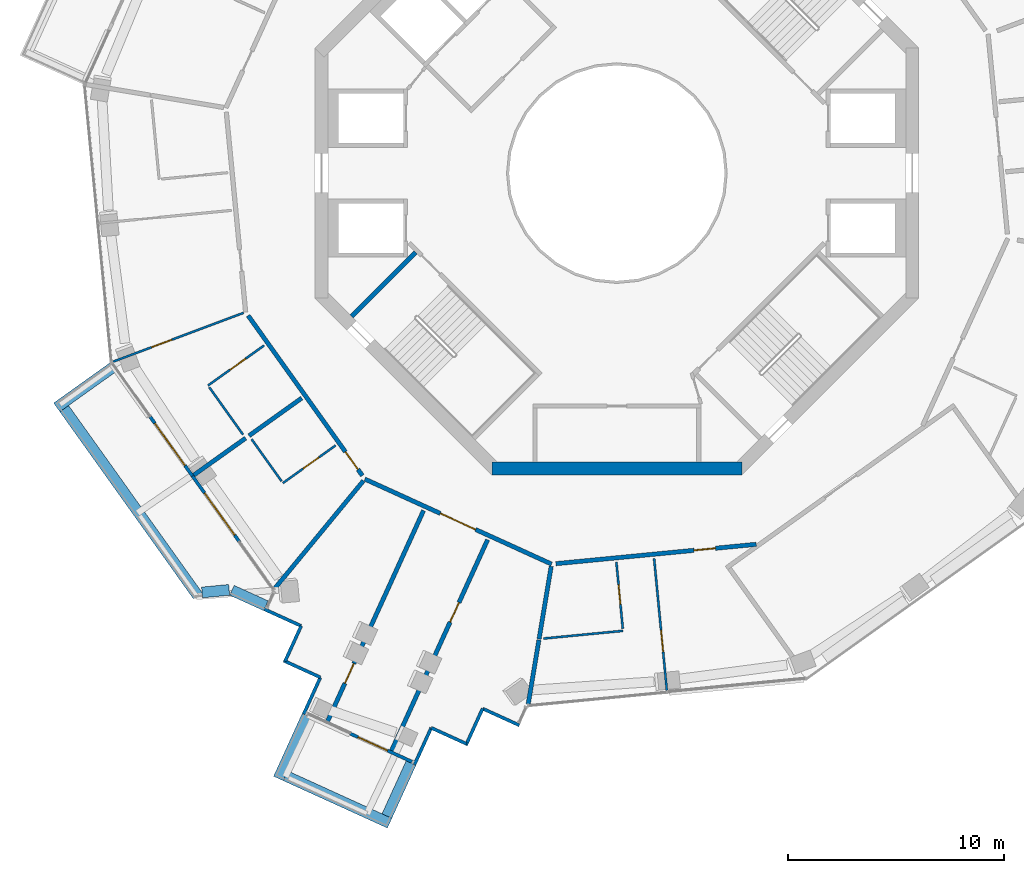
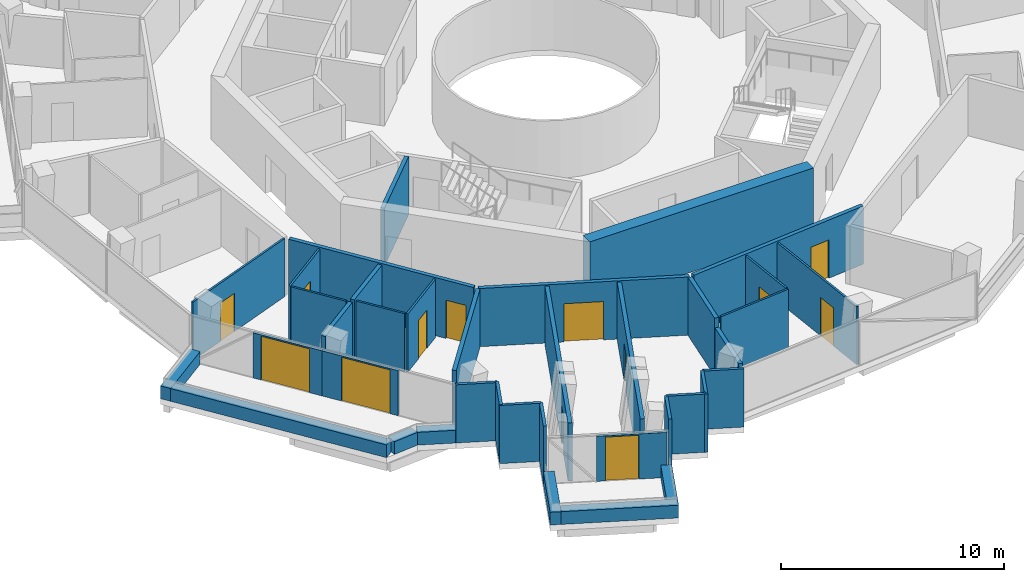
# One storey, part 15 of 22: 38 walls, 13 doors, 13 openings.
"""IFC4 building model written with IfcOpenShell, lengths in metres."""

from ifc_helpers import new_model, si_unit, direction, frame, frame_2d, origin, place, context, subcontext, project, spatial, rectangle, extrude, material, layer, layer_set, type_object, element, fill, save


model = new_model("IFC4")

# Units and contexts
model_context = context("Model", 3, precision=1e-05, world=origin(), true_north=direction((0.0, 1.0)))
body_context = subcontext(model_context, "Body", "Model", "MODEL_VIEW")
ifc_project = project(units=[si_unit("LENGTHUNIT", "METRE"), si_unit("AREAUNIT", "SQUARE_METRE"), si_unit("VOLUMEUNIT", "CUBIC_METRE"), si_unit("PLANEANGLEUNIT", "RADIAN"), si_unit("MASSUNIT", "GRAM", prefix="KILO")], contexts=[model_context])

# Site, building, storey
site_placement = place(None, origin())
site = spatial("IfcSite", under=ifc_project, at=site_placement, CompositionType="ELEMENT")
building_placement = place(site_placement, origin())
building = spatial("IfcBuilding", under=site, at=building_placement, Name="Verdalira Terraces Hotel", CompositionType="ELEMENT")
storey_placement = place(building_placement, frame((0.0, 0.0, 180.0)))
storey = spatial("IfcBuildingStorey", under=building, at=storey_placement, Name="L43", CompositionType="ELEMENT", Elevation=180.0)

# Walls
ifc_material_1 = material(Name="Concrete C40", Category="concrete")
ifc_layer_1 = layer(ifc_material_1, 0.5)
ifc_layer_set_1 = layer_set([ifc_layer_1], Name="Balcony planter trough with tree")
wall_type_1 = type_object("IfcWallType", Name="Balcony planter trough with tree", PredefinedType="SOLIDWALL", material=ifc_layer_set_1)
wall_1_placement = place(storey_placement, frame((-23.376221, -9.007324, 0.0), z_axis=(0.0, 0.0, 1.0), x_axis=(-0.813882991, -0.581028808, 0.0)))
element("IfcWall", 1, at=wall_1_placement, inside=storey, type_object=wall_type_1, Name="Balcony planter", PredefinedType="SOLIDWALL", context=body_context, shape_type="SweptSolid", body=[
    extrude(rectangle(XDim=3.198975, YDim=0.5, at=frame_2d((1.599609, 0.0))), origin(), (0.0, 0.0, 1.0), 0.699951),
])
wall_2_placement = place(storey_placement, frame((-25.631104, -10.924316, 0.0), z_axis=(0.0, 0.0, 1.0), x_axis=(0.580988848, -0.813911517, 0.0)))
element("IfcWall", 2, at=wall_2_placement, inside=storey, type_object=wall_type_1, Name="Balcony planter", PredefinedType="SOLIDWALL", context=body_context, shape_type="SweptSolid", body=[
    extrude(rectangle(XDim=10.652588, YDim=0.5, at=frame_2d((5.326172, 0.0))), origin(), (0.0, 0.0, 1.0), 0.699951),
])
wall_3_placement = place(storey_placement, frame((-19.23877, -19.449219, 0.0), z_axis=(0.0, 0.0, 1.0), x_axis=(0.995350014, 0.096324195, 0.0)))
element("IfcWall", 3, at=wall_3_placement, inside=storey, type_object=wall_type_1, Name="Balcony planter", PredefinedType="SOLIDWALL", context=body_context, shape_type="SweptSolid", body=[
    extrude(rectangle(XDim=1.262207, YDim=0.5, at=frame_2d((0.631104, 0.0))), origin(), (0.0, 0.0, 1.0), 0.699951),
])
wall_4_placement = place(storey_placement, frame((-17.85498, -19.349121, 0.0), z_axis=(0.0, 0.0, 1.0), x_axis=(0.910110312, -0.414366046, 0.0)))
element("IfcWall", 4, at=wall_4_placement, inside=storey, type_object=wall_type_1, Name="Balcony planter", PredefinedType="SOLIDWALL", context=body_context, shape_type="SweptSolid", body=[
    extrude(rectangle(XDim=1.730957, YDim=0.5, at=frame_2d((0.865479, 0.0))), origin(), (0.0, 0.0, 1.0), 0.699951),
])
wall_5_placement = place(storey_placement, frame((-14.370361, -25.166992, 0.0), z_axis=(0.0, 0.0, 1.0), x_axis=(-0.414406602, -0.910091846, 0.0)))
element("IfcWall", 5, at=wall_5_placement, inside=storey, type_object=wall_type_1, Name="Balcony planter", PredefinedType="SOLIDWALL", context=body_context, shape_type="SweptSolid", body=[
    extrude(rectangle(XDim=3.198975, YDim=0.5, at=frame_2d((1.599609, 0.0))), origin(), (0.0, 0.0, 1.0), 0.699951),
])
wall_6_placement = place(storey_placement, frame((-15.364746, -27.954346, 0.0), z_axis=(0.0, 0.0, 1.0), x_axis=(0.910096523, -0.414396331, 0.0)))
element("IfcWall", 6, at=wall_6_placement, inside=storey, type_object=wall_type_1, Name="Balcony planter", PredefinedType="SOLIDWALL", context=body_context, shape_type="SweptSolid", body=[
    extrude(rectangle(XDim=5.300049, YDim=0.5, at=frame_2d((2.649902, 0.0))), origin(), (0.0, 0.0, 1.0), 0.699951),
])
wall_7_placement = place(storey_placement, frame((-10.665283, -29.81958, 0.0), z_axis=(0.0, 0.0, 1.0), x_axis=(0.414354866, 0.910115402, 0.0)))
element("IfcWall", 7, at=wall_7_placement, inside=storey, type_object=wall_type_1, Name="Balcony planter", PredefinedType="SOLIDWALL", context=body_context, shape_type="SweptSolid", body=[
    extrude(rectangle(XDim=2.699219, YDim=0.5, at=frame_2d((1.349609, 0.0))), origin(), (0.0, 0.0, 1.0), 0.699951),
])

# Wall, opening, door
ifc_material_2 = material(Name="Moisture-resistant gypsum board partition")
ifc_layer_2 = layer(ifc_material_2, 0.10009765625)
ifc_layer_set_2 = layer_set([ifc_layer_2], Name="Bathroom partition 100 mm")
wall_type_2 = type_object("IfcWallType", Name="Bathroom partition 100 mm", PredefinedType="PARTITIONING", material=ifc_layer_set_2)
wall_8_placement = place(storey_placement, frame((-17.315186, -6.480713, 0.0), z_axis=(0.0, 0.0, 1.0), x_axis=(-0.936548998, -0.350536695, 0.0)))
wall_8 = element("IfcWall", 8, at=wall_8_placement, inside=storey, type_object=wall_type_2, Name="Bathroom partition", PredefinedType="PARTITIONING", context=body_context, shape_type="SweptSolid", body=[
    extrude(rectangle(XDim=6.47583, YDim=0.100098, at=frame_2d((3.237793, 0.0))), origin(), (0.0, 0.0, 1.0), 3.189941),
])
opening_1_placement = place(wall_8_placement, frame((3.550049, 0.0, 0.0)))
opening_1 = element("IfcOpeningElement", 9, at=opening_1_placement, cuts=wall_8, Name="Opening L43-109", PredefinedType="OPENING", context=body_context, shape_type="SweptSolid", body=[
    extrude(rectangle(XDim=1.0, YDim=2.100098, at=frame_2d((0.5, 1.050049))), frame((0.0, 0.060059, 0.0), z_axis=(0.0, -1.0, 0.0), x_axis=(1.0, 0.0, 0.0)), (0.0, 0.0, 1.0), 0.120117),
])
ifc_material_3 = material(Name="Timber door", Category="wood")
door_type_1 = type_object("IfcDoorType", Name="Suite internal door 1000 x 2100", OperationType="NOTDEFINED", PredefinedType="DOOR", material=ifc_material_3)
door_1_placement = place(opening_1_placement, origin())
door_1 = element("IfcDoor", 10, at=door_1_placement, inside=storey, type_object=door_type_1, Name="Suite internal door 4303", OperationType="SINGLE_SWING_LEFT", OverallHeight=2.10009765625, OverallWidth=1.0, PredefinedType="DOOR", context=body_context, shape_type="SweptSolid", body=[
    extrude(rectangle(XDim=1.0, YDim=2.100098, at=frame_2d((0.5, 1.050049))), frame((0.0, 0.024902, 0.0), z_axis=(0.0, -1.0, 0.0), x_axis=(1.0, 0.0, 0.0)), (0.0, 0.0, 1.0), 0.050049),
])
fill(opening_1, door_1)

# Wall
wall_9_placement = place(storey_placement, frame((-18.906006, -9.932373, 0.0), z_axis=(0.0, 0.0, 1.0), x_axis=(0.581041451, -0.813873966, 0.0)))
element("IfcWall", 11, at=wall_9_placement, inside=storey, type_object=wall_type_2, Name="Bathroom partition", PredefinedType="PARTITIONING", context=body_context, shape_type="SweptSolid", body=[
    extrude(rectangle(XDim=2.699951, YDim=0.100098, at=frame_2d((1.350098, 0.0))), origin(), (0.0, 0.0, 1.0), 3.189941),
])

# Wall, opening, door
wall_10_placement = place(storey_placement, frame((-16.359619, -7.991699, 0.0), z_axis=(0.0, 0.0, 1.0), x_axis=(-0.813877781, -0.581036106, 0.0)))
wall_10 = element("IfcWall", 12, at=wall_10_placement, inside=storey, type_object=wall_type_2, Name="Bathroom partition", PredefinedType="PARTITIONING", context=body_context, shape_type="SweptSolid", body=[
    extrude(rectangle(XDim=3.200195, YDim=0.100098, at=frame_2d((1.600098, 0.0))), origin(), (0.0, 0.0, 1.0), 3.189941),
])
opening_2_placement = place(wall_10_placement, frame((1.050049, 0.0, 0.0)))
opening_2 = element("IfcOpeningElement", 13, at=opening_2_placement, cuts=wall_10, Name="Opening L43-111", PredefinedType="OPENING", context=body_context, shape_type="SweptSolid", body=[
    extrude(rectangle(XDim=0.899902, YDim=2.100098, at=frame_2d((0.449951, 1.050049))), frame((0.0, 0.060059, 0.0), z_axis=(0.0, -1.0, 0.0), x_axis=(1.0, 0.0, 0.0)), (0.0, 0.0, 1.0), 0.120117),
])
ifc_material_4 = material(Name="Timber door", Category="wood")
door_type_2 = type_object("IfcDoorType", Name="Bathroom door 900 x 2100", OperationType="NOTDEFINED", PredefinedType="DOOR", material=ifc_material_4)
door_2_placement = place(opening_2_placement, origin())
door_2 = element("IfcDoor", 14, at=door_2_placement, inside=storey, type_object=door_type_2, Name="Bathroom door 4303", OperationType="SINGLE_SWING_RIGHT", OverallHeight=2.10009765625, OverallWidth=0.89990234375, PredefinedType="DOOR", context=body_context, shape_type="SweptSolid", body=[
    extrude(rectangle(XDim=0.899902, YDim=2.100098, at=frame_2d((0.449951, 1.050049))), frame((0.0, 0.024902, 0.0), z_axis=(0.0, -1.0, 0.0), x_axis=(1.0, 0.0, 0.0)), (0.0, 0.0, 1.0), 0.050049),
])
fill(opening_2, door_2)

# Wall
wall_11_placement = place(storey_placement, frame((-15.547607, -14.292725, 0.0), z_axis=(0.0, 0.0, 1.0), x_axis=(-0.581036106, 0.813877781, 0.0)))
element("IfcWall", 15, at=wall_11_placement, inside=storey, type_object=wall_type_2, Name="Bathroom partition", PredefinedType="PARTITIONING", context=body_context, shape_type="SweptSolid", body=[
    extrude(rectangle(XDim=2.400146, YDim=0.100098, at=frame_2d((1.200195, 0.0))), origin(), (0.0, 0.0, 1.0), 3.189941),
])

# Wall, opening, door
wall_12_placement = place(storey_placement, frame((-15.489502, -14.374023, 0.0), z_axis=(0.0, 0.0, 1.0), x_axis=(0.813909397, 0.580991819, 0.0)))
wall_12 = element("IfcWall", 16, at=wall_12_placement, inside=storey, type_object=wall_type_2, Name="Bathroom partition", PredefinedType="PARTITIONING", context=body_context, shape_type="SweptSolid", body=[
    extrude(rectangle(XDim=3.0, YDim=0.100098, at=frame_2d((1.5, 0.0))), origin(), (0.0, 0.0, 1.0), 3.189941),
])
opening_3_placement = place(wall_12_placement, frame((1.149902, 0.0, 0.0)))
opening_3 = element("IfcOpeningElement", 17, at=opening_3_placement, cuts=wall_12, Name="Opening L43-113", PredefinedType="OPENING", context=body_context, shape_type="SweptSolid", body=[
    extrude(rectangle(XDim=0.899902, YDim=2.100098, at=frame_2d((0.449951, 1.050049))), frame((0.0, 0.060059, 0.0), z_axis=(0.0, -1.0, 0.0), x_axis=(1.0, 0.0, 0.0)), (0.0, 0.0, 1.0), 0.120117),
])
door_3_placement = place(opening_3_placement, origin())
door_3 = element("IfcDoor", 18, at=door_3_placement, inside=storey, type_object=door_type_2, Name="Bathroom door 4304", OperationType="SINGLE_SWING_LEFT", OverallHeight=2.10009765625, OverallWidth=0.89990234375, PredefinedType="DOOR", context=body_context, shape_type="SweptSolid", body=[
    extrude(rectangle(XDim=0.899902, YDim=2.100098, at=frame_2d((0.449951, 1.050049))), frame((0.0, 0.024902, 0.0), z_axis=(0.0, -1.0, 0.0), x_axis=(1.0, 0.0, 0.0)), (0.0, 0.0, 1.0), 0.050049),
])
fill(opening_3, door_3)

# Wall
wall_13_placement = place(storey_placement, frame((-3.401611, -21.585693, 0.0), z_axis=(0.0, 0.0, 1.0), x_axis=(0.995365087, 0.096168311, 0.0)))
element("IfcWall", 19, at=wall_13_placement, inside=storey, type_object=wall_type_2, Name="Bathroom partition", PredefinedType="PARTITIONING", context=body_context, shape_type="SweptSolid", body=[
    extrude(rectangle(XDim=3.703857, YDim=0.100098, at=frame_2d((1.852051, 0.0))), origin(), (0.0, 0.0, 1.0), 3.189941),
])

# Wall, opening, door
wall_14_placement = place(storey_placement, frame((0.275391, -21.129883, 0.0), z_axis=(0.0, 0.0, 1.0), x_axis=(-0.09615808, 0.995366075, 0.0)))
wall_14 = element("IfcWall", 20, at=wall_14_placement, inside=storey, type_object=wall_type_2, Name="Bathroom partition", PredefinedType="PARTITIONING", context=body_context, shape_type="SweptSolid", body=[
    extrude(rectangle(XDim=3.100098, YDim=0.100098, at=frame_2d((1.550049, 0.0))), origin(), (0.0, 0.0, 1.0), 3.189941),
])
opening_4_placement = place(wall_14_placement, frame((1.149902, 0.0, 0.0)))
opening_4 = element("IfcOpeningElement", 21, at=opening_4_placement, cuts=wall_14, Name="Opening L43-119", PredefinedType="OPENING", context=body_context, shape_type="SweptSolid", body=[
    extrude(rectangle(XDim=0.899902, YDim=2.100098, at=frame_2d((0.449951, 1.050049))), frame((0.0, 0.060059, 0.0), z_axis=(0.0, -1.0, 0.0), x_axis=(1.0, 0.0, 0.0)), (0.0, 0.0, 1.0), 0.120117),
])
door_4_placement = place(opening_4_placement, origin())
door_4 = element("IfcDoor", 22, at=door_4_placement, inside=storey, type_object=door_type_2, Name="Bathroom door 4306", OperationType="SINGLE_SWING_LEFT", OverallHeight=2.10009765625, OverallWidth=0.89990234375, PredefinedType="DOOR", context=body_context, shape_type="SweptSolid", body=[
    extrude(rectangle(XDim=0.899902, YDim=2.100098, at=frame_2d((0.449951, 1.050049))), frame((0.0, 0.024902, 0.0), z_axis=(0.0, -1.0, 0.0), x_axis=(1.0, 0.0, 0.0)), (0.0, 0.0, 1.0), 0.050049),
])
fill(opening_4, door_4)

wall_15_placement = place(storey_placement, frame((2.319092, -23.996582, 0.0), z_axis=(0.0, 0.0, 1.0), x_axis=(-0.096185909, 0.995363386, 0.0)))
wall_15 = element("IfcWall", 23, at=wall_15_placement, inside=storey, type_object=wall_type_2, Name="Bathroom partition", PredefinedType="PARTITIONING", context=body_context, shape_type="SweptSolid", body=[
    extrude(rectangle(XDim=6.150146, YDim=0.100098, at=frame_2d((3.075195, 0.0))), origin(), (0.0, 0.0, 1.0), 3.189941),
])
opening_5_placement = place(wall_15_placement, frame((1.800049, 0.0, 0.0)))
opening_5 = element("IfcOpeningElement", 24, at=opening_5_placement, cuts=wall_15, Name="Opening L43-118", PredefinedType="OPENING", context=body_context, shape_type="SweptSolid", body=[
    extrude(rectangle(XDim=1.0, YDim=2.100098, at=frame_2d((0.5, 1.050049))), frame((0.0, 0.060059, 0.0), z_axis=(0.0, -1.0, 0.0), x_axis=(1.0, 0.0, 0.0)), (0.0, 0.0, 1.0), 0.120117),
])
door_5_placement = place(opening_5_placement, origin())
door_5 = element("IfcDoor", 25, at=door_5_placement, inside=storey, type_object=door_type_1, Name="Suite internal door 4306", OperationType="SINGLE_SWING_LEFT", OverallHeight=2.10009765625, OverallWidth=1.0, PredefinedType="DOOR", context=body_context, shape_type="SweptSolid", body=[
    extrude(rectangle(XDim=1.0, YDim=2.100098, at=frame_2d((0.5, 1.050049))), frame((0.0, 0.024902, 0.0), z_axis=(0.0, -1.0, 0.0), x_axis=(1.0, 0.0, 0.0)), (0.0, 0.0, 1.0), 0.050049),
])
fill(opening_5, door_5)

# Walls
ifc_material_5 = material(Name="Concrete C50", Category="concrete")
ifc_layer_3 = layer(ifc_material_5, 0.199951171875)
ifc_layer_set_3 = layer_set([ifc_layer_3], Name="Core RC wall 200 C50")
wall_type_3 = type_object("IfcWallType", Name="Core RC wall 200 C50", PredefinedType="SOLIDWALL", material=ifc_layer_set_3)
wall_16_placement = place(storey_placement, frame((-9.33374, -3.677002, 0.0), z_axis=(0.0, 0.0, 1.0), x_axis=(-0.707135845, -0.707077716, 0.0)))
element("IfcWall", 26, at=wall_16_placement, inside=storey, type_object=wall_type_3, Name="L43 stair ST2 end wall 1", PredefinedType="SOLIDWALL", context=body_context, shape_type="SweptSolid", body=[
    extrude(rectangle(XDim=4.199951, YDim=0.199951, at=frame_2d((2.100098, 0.0))), origin(), (0.0, 0.0, 1.0), 3.189941),
])
ifc_material_6 = material(Name="Concrete C60", Category="concrete")
ifc_layer_4 = layer(ifc_material_6, 0.60009765625)
ifc_layer_set_4 = layer_set([ifc_layer_4], Name="Core wall 600 C60")
wall_type_4 = type_object("IfcWallType", Name="Core wall 600 C60", PredefinedType="SHEAR", material=ifc_layer_set_4)
wall_17_placement = place(storey_placement, frame((-5.799072, -13.699951, 0.0), z_axis=(0.0, 0.0, 1.0), x_axis=(1.0, 0.0, 0.0)))
element("IfcWall", 27, at=wall_17_placement, inside=storey, type_object=wall_type_4, Name="Core wall CW-L43-7", PredefinedType="SHEAR", context=body_context, shape_type="SweptSolid", body=[
    extrude(rectangle(XDim=11.598145, YDim=0.600098, at=frame_2d((5.799072, 0.0))), origin(), (0.0, 0.0, 1.0), 3.5),
])
ifc_material_7 = material(Name="Fire-rated gypsum board wall")
ifc_layer_5 = layer(ifc_material_7, 0.199951171875)
ifc_layer_set_5 = layer_set([ifc_layer_5], Name="Demising wall 200 mm")
wall_type_5 = type_object("IfcWallType", Name="Demising wall 200 mm", PredefinedType="SOLIDWALL", material=ifc_layer_set_5)
wall_18_placement = place(storey_placement, frame((-17.220947, -12.292725, 0.0), z_axis=(0.0, 0.0, 1.0), x_axis=(-0.813929138, -0.580964163, 0.0)))
element("IfcWall", 28, at=wall_18_placement, inside=storey, type_object=wall_type_5, Name="Demising wall", PredefinedType="SOLIDWALL", context=body_context, shape_type="SweptSolid", body=[
    extrude(rectangle(XDim=2.949951, YDim=0.199951, at=frame_2d((1.475098, 0.0))), origin(), (0.0, 0.0, 1.0), 3.189941),
])
wall_19_placement = place(storey_placement, frame((-14.616455, -10.433594, 0.0), z_axis=(0.0, 0.0, 1.0), x_axis=(-0.813909274, -0.580991992, 0.0)))
element("IfcWall", 29, at=wall_19_placement, inside=storey, type_object=wall_type_5, Name="Demising wall", PredefinedType="SOLIDWALL", context=body_context, shape_type="SweptSolid", body=[
    extrude(rectangle(XDim=3.001953, YDim=0.199951, at=frame_2d((1.500977, 0.0))), origin(), (0.0, 0.0, 1.0), 3.189941),
])
wall_20_placement = place(storey_placement, frame((-15.872314, -19.268311, 0.0), z_axis=(0.0, 0.0, 1.0), x_axis=(0.635816927, 0.771839902, 0.0)))
element("IfcWall", 30, at=wall_20_placement, inside=storey, type_object=wall_type_5, Name="Demising wall", PredefinedType="SOLIDWALL", context=body_context, shape_type="SweptSolid", body=[
    extrude(rectangle(XDim=6.47583, YDim=0.199951, at=frame_2d((3.237793, 0.0))), origin(), (0.0, 0.0, 1.0), 3.189941),
])

# Wall, opening, door
wall_21_placement = place(storey_placement, frame((-13.421143, -25.43335, 0.0), z_axis=(0.0, 0.0, 1.0), x_axis=(0.414377782, 0.910104968, 0.0)))
wall_21 = element("IfcWall", 31, at=wall_21_placement, inside=storey, type_object=wall_type_5, Name="Demising wall", PredefinedType="SOLIDWALL", context=body_context, shape_type="SweptSolid", body=[
    extrude(rectangle(XDim=10.75, YDim=0.199951, at=frame_2d((5.375, 0.0))), origin(), (0.0, 0.0, 1.0), 3.189941),
])
opening_6_placement = place(wall_21_placement, frame((1.949951, 0.0, 0.0)))
opening_6 = element("IfcOpeningElement", 32, at=opening_6_placement, cuts=wall_21, Name="Opening L43-115", PredefinedType="OPENING", context=body_context, shape_type="SweptSolid", body=[
    extrude(rectangle(XDim=1.0, YDim=2.100098, at=frame_2d((0.5, 1.050049))), frame((0.0, 0.109863, 0.0), z_axis=(0.0, -1.0, 0.0), x_axis=(1.0, 0.0, 0.0)), (0.0, 0.0, 1.0), 0.219971),
])
ifc_material_8 = material(Name="Timber fire door", Category="wood")
door_type_3 = type_object("IfcDoorType", Name="Public room door 1000 x 2100", OperationType="NOTDEFINED", PredefinedType="DOOR", material=ifc_material_8)
door_6_placement = place(opening_6_placement, origin())
door_6 = element("IfcDoor", 33, at=door_6_placement, inside=storey, type_object=door_type_3, Name="Public room door 4305", OperationType="SINGLE_SWING_LEFT", OverallHeight=2.10009765625, OverallWidth=1.0, PredefinedType="DOOR", context=body_context, shape_type="SweptSolid", body=[
    extrude(rectangle(XDim=1.0, YDim=2.100098, at=frame_2d((0.5, 1.050049))), frame((0.0, 0.024902, 0.0), z_axis=(0.0, -1.0, 0.0), x_axis=(1.0, 0.0, 0.0)), (0.0, 0.0, 1.0), 0.050049),
])
fill(opening_6, door_6)

wall_22_placement = place(storey_placement, frame((-5.995361, -17.002441, 0.0), z_axis=(0.0, 0.0, 1.0), x_axis=(-0.414386347, -0.910101069, 0.0)))
wall_22 = element("IfcWall", 34, at=wall_22_placement, inside=storey, type_object=wall_type_5, Name="Demising wall", PredefinedType="SOLIDWALL", context=body_context, shape_type="SweptSolid", body=[
    extrude(rectangle(XDim=10.749756, YDim=0.199951, at=frame_2d((5.375, 0.0))), origin(), (0.0, 0.0, 1.0), 3.189941),
])
opening_7_placement = place(wall_22_placement, frame((3.199951, 0.0, 0.0)))
opening_7 = element("IfcOpeningElement", 35, at=opening_7_placement, cuts=wall_22, Name="Opening L43-116", PredefinedType="OPENING", context=body_context, shape_type="SweptSolid", body=[
    extrude(rectangle(XDim=1.0, YDim=2.100098, at=frame_2d((0.5, 1.050049))), frame((0.0, 0.109863, 0.0), z_axis=(0.0, -1.0, 0.0), x_axis=(1.0, 0.0, 0.0)), (0.0, 0.0, 1.0), 0.219971),
])
door_7_placement = place(opening_7_placement, origin())
door_7 = element("IfcDoor", 36, at=door_7_placement, inside=storey, type_object=door_type_3, Name="Public room door 4305", OperationType="SINGLE_SWING_LEFT", OverallHeight=2.10009765625, OverallWidth=1.0, PredefinedType="DOOR", context=body_context, shape_type="SweptSolid", body=[
    extrude(rectangle(XDim=1.0, YDim=2.100098, at=frame_2d((0.5, 1.050049))), frame((0.0, 0.024902, 0.0), z_axis=(0.0, -1.0, 0.0), x_axis=(1.0, 0.0, 0.0)), (0.0, 0.0, 1.0), 0.050049),
])
fill(opening_7, door_7)

# Walls
wall_23_placement = place(storey_placement, frame((-3.045166, -18.23584, 0.0), z_axis=(0.0, 0.0, 1.0), x_axis=(-0.164700112, -0.986343689, 0.0)))
element("IfcWall", 37, at=wall_23_placement, inside=storey, type_object=wall_type_5, Name="Demising wall", PredefinedType="SOLIDWALL", context=body_context, shape_type="SweptSolid", body=[
    extrude(rectangle(XDim=3.418213, YDim=0.199951, at=frame_2d((1.708984, 0.0))), origin(), (0.0, 0.0, 1.0), 3.189941),
])
ifc_material_9 = material(Name="Fire-rated gypsum board wall")
ifc_layer_6 = layer(ifc_material_9, 0.199951171875)
ifc_layer_set_6 = layer_set([ifc_layer_6], Name="Demising wall 200 mm to beam soffit")
wall_type_6 = type_object("IfcWallType", Name="Demising wall 200 mm to beam soffit", PredefinedType="SOLIDWALL", material=ifc_layer_set_6)
wall_24_placement = place(storey_placement, frame((-3.615723, -21.652832, 0.0), z_axis=(0.0, 0.0, 1.0), x_axis=(-0.1647408, -0.986336894, 0.0)))
element("IfcWall", 38, at=wall_24_placement, inside=storey, type_object=wall_type_6, Name="Demising wall", PredefinedType="SOLIDWALL", context=body_context, shape_type="SweptSolid", body=[
    extrude(rectangle(XDim=3.011475, YDim=0.199951, at=frame_2d((1.505859, 0.0))), origin(), (0.0, 0.0, 1.0), 2.689941),
])

# Wall, opening, door
ifc_material_10 = material(Name="Fire-rated gypsum board wall")
ifc_layer_7 = layer(ifc_material_10, 0.199951171875)
ifc_layer_set_7 = layer_set([ifc_layer_7], Name="Guest corridor wall 200 mm")
wall_type_7 = type_object("IfcWallType", Name="Guest corridor wall 200 mm", PredefinedType="SOLIDWALL", material=ifc_layer_set_7)
wall_25_placement = place(storey_placement, frame((-11.80542, -14.027344, 0.0), z_axis=(0.0, 0.0, 1.0), x_axis=(-0.580997508, 0.813905336, 0.0)))
wall_25 = element("IfcWall", 39, at=wall_25_placement, inside=storey, type_object=wall_type_7, Name="Guest corridor wall", PredefinedType="SOLIDWALL", context=body_context, shape_type="SweptSolid", body=[
    extrude(rectangle(XDim=9.116455, YDim=0.199951, at=frame_2d((4.558105, 0.0))), origin(), (0.0, 0.0, 1.0), 3.189941),
])
opening_8_placement = place(wall_25_placement, frame((0.350098, 0.0, 0.0)))
opening_8 = element("IfcOpeningElement", 40, at=opening_8_placement, cuts=wall_25, Name="Opening L43-112", PredefinedType="OPENING", context=body_context, shape_type="SweptSolid", body=[
    extrude(rectangle(XDim=1.0, YDim=2.100098, at=frame_2d((0.5, 1.050049))), frame((0.0, 0.109863, 0.0), z_axis=(0.0, -1.0, 0.0), x_axis=(1.0, 0.0, 0.0)), (0.0, 0.0, 1.0), 0.219971),
])
ifc_material_11 = material(Name="Timber fire door", Category="wood")
door_type_4 = type_object("IfcDoorType", Name="Guest entry door 1000 x 2100", OperationType="NOTDEFINED", PredefinedType="DOOR", material=ifc_material_11)
door_8_placement = place(opening_8_placement, origin())
door_8 = element("IfcDoor", 41, at=door_8_placement, inside=storey, type_object=door_type_4, Name="Guest entry door 4304", OperationType="SINGLE_SWING_LEFT", OverallHeight=2.10009765625, OverallWidth=1.0, PredefinedType="DOOR", context=body_context, shape_type="SweptSolid", body=[
    extrude(rectangle(XDim=1.0, YDim=2.100098, at=frame_2d((0.5, 1.050049))), frame((0.0, 0.024902, 0.0), z_axis=(0.0, -1.0, 0.0), x_axis=(1.0, 0.0, 0.0)), (0.0, 0.0, 1.0), 0.050049),
])
fill(opening_8, door_8)

wall_26_placement = place(storey_placement, frame((-3.028076, -18.133789, 0.0), z_axis=(0.0, 0.0, 1.0), x_axis=(-0.910100085, 0.414388507, 0.0)))
wall_26 = element("IfcWall", 42, at=wall_26_placement, inside=storey, type_object=wall_type_7, Name="Guest corridor wall", PredefinedType="SOLIDWALL", context=body_context, shape_type="SweptSolid", body=[
    extrude(rectangle(XDim=9.516602, YDim=0.199951, at=frame_2d((4.758301, 0.0))), origin(), (0.0, 0.0, 1.0), 3.189941),
])
opening_9_placement = place(wall_26_placement, frame((3.869385, 0.0, 0.0)))
opening_9 = element("IfcOpeningElement", 43, at=opening_9_placement, cuts=wall_26, Name="Opening L43-114", PredefinedType="OPENING", context=body_context, shape_type="SweptSolid", body=[
    extrude(rectangle(XDim=1.800049, YDim=2.100098, at=frame_2d((0.899902, 1.050049))), frame((0.0, 0.109863, 0.0), z_axis=(0.0, -1.0, 0.0), x_axis=(1.0, 0.0, 0.0)), (0.0, 0.0, 1.0), 0.219971),
])
ifc_material_12 = material(Name="Timber fire door", Category="wood")
door_type_5 = type_object("IfcDoorType", Name="Public room double door 1800 x 2100", OperationType="NOTDEFINED", PredefinedType="DOOR", material=ifc_material_12)
door_9_placement = place(opening_9_placement, origin())
door_9 = element("IfcDoor", 44, at=door_9_placement, inside=storey, type_object=door_type_5, Name="Public room double door 4305", OperationType="DOUBLE_DOOR_SINGLE_SWING", OverallHeight=2.10009765625, OverallWidth=1.800048828125, PredefinedType="DOOR", context=body_context, shape_type="SweptSolid", body=[
    extrude(rectangle(XDim=1.800049, YDim=2.100098, at=frame_2d((0.899902, 1.050049))), frame((0.0, 0.024902, 0.0), z_axis=(0.0, -1.0, 0.0), x_axis=(1.0, 0.0, 0.0)), (0.0, 0.0, 1.0), 0.050049),
])
fill(opening_9, door_9)

wall_27_placement = place(storey_placement, frame((6.464355, -17.216309, 0.0), z_axis=(0.0, 0.0, 1.0), x_axis=(-0.995362056, -0.09619968, 0.0)))
wall_27 = element("IfcWall", 45, at=wall_27_placement, inside=storey, type_object=wall_type_7, Name="Guest corridor wall", PredefinedType="SOLIDWALL", context=body_context, shape_type="SweptSolid", body=[
    extrude(rectangle(XDim=9.33667, YDim=0.199951, at=frame_2d((4.668457, 0.0))), origin(), (0.0, 0.0, 1.0), 3.189941),
])
opening_10_placement = place(wall_27_placement, frame((1.899902, 0.0, 0.0)))
opening_10 = element("IfcOpeningElement", 46, at=opening_10_placement, cuts=wall_27, Name="Opening L43-117", PredefinedType="OPENING", context=body_context, shape_type="SweptSolid", body=[
    extrude(rectangle(XDim=1.0, YDim=2.100098, at=frame_2d((0.5, 1.050049))), frame((0.0, 0.109863, 0.0), z_axis=(0.0, -1.0, 0.0), x_axis=(1.0, 0.0, 0.0)), (0.0, 0.0, 1.0), 0.219971),
])
door_10_placement = place(opening_10_placement, origin())
door_10 = element("IfcDoor", 47, at=door_10_placement, inside=storey, type_object=door_type_4, Name="Guest entry door 4306", OperationType="SINGLE_SWING_LEFT", OverallHeight=2.10009765625, OverallWidth=1.0, PredefinedType="DOOR", context=body_context, shape_type="SweptSolid", body=[
    extrude(rectangle(XDim=1.0, YDim=2.100098, at=frame_2d((0.5, 1.050049))), frame((0.0, 0.024902, 0.0), z_axis=(0.0, -1.0, 0.0), x_axis=(1.0, 0.0, 0.0)), (0.0, 0.0, 1.0), 0.050049),
])
fill(opening_10, door_10)

# Walls
ifc_material_13 = material(Name="Terracotta cladding", Category="masonry")
ifc_layer_8 = layer(ifc_material_13, 0.14990234375)
ifc_layer_set_8 = layer_set([ifc_layer_8], Name="Terracotta clad wall 150")
wall_type_8 = type_object("IfcWallType", Name="Terracotta clad wall 150", PredefinedType="SOLIDWALL", material=ifc_layer_set_8)
wall_28_placement = place(storey_placement, frame((-16.351074, -20.226074, 0.0), z_axis=(0.0, 0.0, 1.0), x_axis=(0.910134462, -0.414312998, 0.0)))
element("IfcWall", 48, at=wall_28_placement, inside=storey, type_object=wall_type_8, Name="Terracotta cladding wall", PredefinedType="SOLIDWALL", context=body_context, shape_type="SweptSolid", body=[
    extrude(rectangle(XDim=1.875, YDim=0.149902, at=frame_2d((0.9375, 0.0))), origin(), (0.0, 0.0, 1.0), 3.189941),
])
wall_29_placement = place(storey_placement, frame((-14.644531, -21.00293, 0.0), z_axis=(0.0, 0.0, 1.0), x_axis=(-0.414364915, -0.910110827, 0.0)))
element("IfcWall", 49, at=wall_29_placement, inside=storey, type_object=wall_type_8, Name="Terracotta cladding wall", PredefinedType="SOLIDWALL", context=body_context, shape_type="SweptSolid", body=[
    extrude(rectangle(XDim=1.800049, YDim=0.149902, at=frame_2d((0.899902, 0.0))), origin(), (0.0, 0.0, 1.0), 3.189941),
])
wall_30_placement = place(storey_placement, frame((-15.45874, -22.610107, 0.0), z_axis=(0.0, 0.0, 1.0), x_axis=(0.910134462, -0.414312998, 0.0)))
element("IfcWall", 50, at=wall_30_placement, inside=storey, type_object=wall_type_8, Name="Terracotta cladding wall", PredefinedType="SOLIDWALL", context=body_context, shape_type="SweptSolid", body=[
    extrude(rectangle(XDim=1.875, YDim=0.149902, at=frame_2d((0.9375, 0.0))), origin(), (0.0, 0.0, 1.0), 3.189941),
])
for number, where, z_axis, x_axis, name in (
    (51, (-13.752197, -23.386963, 0.0), (0.0, 0.0, 1.0), (-0.414420844, -0.910085361, 0.0), "Terracotta cladding wall"),
    (52, (-9.387207, -27.434814, 0.0), (0.0, 0.0, 1.0), (0.414420844, 0.910085361, 0.0), "Terracotta cladding wall"),
):
    element("IfcWall", number, at=place(storey_placement, frame(where, z_axis=z_axis, x_axis=x_axis)), inside=storey, type_object=wall_type_8, Name=name, PredefinedType="SOLIDWALL", context=body_context, shape_type="SweptSolid", body=[
        extrude(rectangle(XDim=1.875244, YDim=0.149902, at=frame_2d((0.9375, 0.0))), origin(), (0.0, 0.0, 1.0), 3.189941),
    ])
wall_31_placement = place(storey_placement, frame((-8.610107, -25.728271, 0.0), z_axis=(0.0, 0.0, 1.0), x_axis=(0.910110827, -0.414364915, 0.0)))
element("IfcWall", 53, at=wall_31_placement, inside=storey, type_object=wall_type_8, Name="Terracotta cladding wall", PredefinedType="SOLIDWALL", context=body_context, shape_type="SweptSolid", body=[
    extrude(rectangle(XDim=1.800049, YDim=0.149902, at=frame_2d((0.899902, 0.0))), origin(), (0.0, 0.0, 1.0), 3.189941),
])
wall_32_placement = place(storey_placement, frame((-7.003174, -26.54248, 0.0), z_axis=(0.0, 0.0, 1.0), x_axis=(0.414420844, 0.910085361, 0.0)))
element("IfcWall", 54, at=wall_32_placement, inside=storey, type_object=wall_type_8, Name="Terracotta cladding wall", PredefinedType="SOLIDWALL", context=body_context, shape_type="SweptSolid", body=[
    extrude(rectangle(XDim=1.875244, YDim=0.149902, at=frame_2d((0.9375, 0.0))), origin(), (0.0, 0.0, 1.0), 3.189941),
])
wall_33_placement = place(storey_placement, frame((-6.226074, -24.835938, 0.0), z_axis=(0.0, 0.0, 1.0), x_axis=(0.910062996, -0.414469955, 0.0)))
element("IfcWall", 55, at=wall_33_placement, inside=storey, type_object=wall_type_8, Name="Terracotta cladding wall", PredefinedType="SOLIDWALL", context=body_context, shape_type="SweptSolid", body=[
    extrude(rectangle(XDim=1.875, YDim=0.149902, at=frame_2d((0.9375, 0.0))), origin(), (0.0, 0.0, 1.0), 3.189941),
])

# Wall, opening, door
ifc_material_14 = material(Name="Terracotta cladding", Category="masonry")
ifc_layer_9 = layer(ifc_material_14, 0.14990234375)
ifc_layer_set_9 = layer_set([ifc_layer_9], Name="Terracotta door pier 150")
wall_type_9 = type_object("IfcWallType", Name="Terracotta door pier 150", PredefinedType="SOLIDWALL", material=ifc_layer_set_9)
wall_34_placement = place(storey_placement, frame((-21.658447, -11.282959, 0.0), z_axis=(0.0, 0.0, 1.0), x_axis=(0.580980052, -0.813917796, 0.0)))
wall_34 = element("IfcWall", 56, at=wall_34_placement, inside=storey, type_object=wall_type_9, Name="Terracotta door pier", PredefinedType="SOLIDWALL", context=body_context, shape_type="SweptSolid", body=[
    extrude(rectangle(XDim=3.399902, YDim=0.149902, at=frame_2d((1.699951, 0.0))), origin(), (0.0, 0.0, 1.0), 2.475098),
])
opening_11_placement = place(wall_34_placement, frame((0.399902, 0.0, 0.0)))
opening_11 = element("IfcOpeningElement", 57, at=opening_11_placement, cuts=wall_34, Name="Opening L43-B06", PredefinedType="OPENING", context=body_context, shape_type="SweptSolid", body=[
    extrude(rectangle(XDim=2.399902, YDim=2.399902, at=frame_2d((1.199951, 1.199951))), frame((0.0, 0.084961, 0.0), z_axis=(0.0, -1.0, 0.0), x_axis=(1.0, 0.0, 0.0)), (0.0, 0.0, 1.0), 0.169922),
])
ifc_material_15 = material(Name="Clear glass", Category="glass")
door_type_6 = type_object("IfcDoorType", Name="Balcony sliding door 2400x2400", OperationType="NOTDEFINED", PredefinedType="DOOR", material=ifc_material_15)
door_11_placement = place(opening_11_placement, origin())
door_11 = element("IfcDoor", 58, at=door_11_placement, inside=storey, type_object=door_type_6, Name="Balcony sliding door", OperationType="SLIDING_TO_RIGHT", OverallHeight=2.39990234375, OverallWidth=2.39990234375, PredefinedType="DOOR", context=body_context, shape_type="SweptSolid", body=[
    extrude(rectangle(XDim=2.399902, YDim=2.399902, at=frame_2d((1.199951, 1.199951))), frame((0.0, 0.024902, 0.0), z_axis=(0.0, -1.0, 0.0), x_axis=(1.0, 0.0, 0.0)), (0.0, 0.0, 1.0), 0.050049),
])
fill(opening_11, door_11)

wall_35_placement = place(storey_placement, frame((-19.683105, -14.050293, 0.0), z_axis=(0.0, 0.0, 1.0), x_axis=(0.581004847, -0.813900097, 0.0)))
wall_35 = element("IfcWall", 59, at=wall_35_placement, inside=storey, type_object=wall_type_9, Name="Terracotta door pier", PredefinedType="SOLIDWALL", context=body_context, shape_type="SweptSolid", body=[
    extrude(rectangle(XDim=3.76123, YDim=0.149902, at=frame_2d((1.880615, 0.0))), origin(), (0.0, 0.0, 1.0), 2.475098),
])
opening_12_placement = place(wall_35_placement, frame((0.961182, 0.0, 0.0)))
opening_12 = element("IfcOpeningElement", 60, at=opening_12_placement, cuts=wall_35, Name="Opening L43-B07", PredefinedType="OPENING", context=body_context, shape_type="SweptSolid", body=[
    extrude(rectangle(XDim=2.399902, YDim=2.399902, at=frame_2d((1.199951, 1.199951))), frame((0.0, 0.084961, 0.0), z_axis=(0.0, -1.0, 0.0), x_axis=(1.0, 0.0, 0.0)), (0.0, 0.0, 1.0), 0.169922),
])
door_12_placement = place(opening_12_placement, origin())
door_12 = element("IfcDoor", 61, at=door_12_placement, inside=storey, type_object=door_type_6, Name="Balcony sliding door", OperationType="SLIDING_TO_LEFT", OverallHeight=2.39990234375, OverallWidth=2.39990234375, PredefinedType="DOOR", context=body_context, shape_type="SweptSolid", body=[
    extrude(rectangle(XDim=2.399902, YDim=2.399902, at=frame_2d((1.199951, 1.199951))), frame((0.0, 0.024902, 0.0), z_axis=(0.0, -1.0, 0.0), x_axis=(1.0, 0.0, 0.0)), (0.0, 0.0, 1.0), 0.050049),
])
fill(opening_12, door_12)

wall_36_placement = place(storey_placement, frame((-12.373047, -25.99292, 0.0), z_axis=(0.0, 0.0, 1.0), x_axis=(0.910120249, -0.414344219, 0.0)))
wall_36 = element("IfcWall", 62, at=wall_36_placement, inside=storey, type_object=wall_type_9, Name="Terracotta door pier", PredefinedType="SOLIDWALL", context=body_context, shape_type="SweptSolid", body=[
    extrude(rectangle(XDim=3.159912, YDim=0.149902, at=frame_2d((1.580078, 0.0))), origin(), (0.0, 0.0, 1.0), 2.475098),
])
opening_13_placement = place(wall_36_placement, frame((0.399902, 0.0, 0.0)))
opening_13 = element("IfcOpeningElement", 63, at=opening_13_placement, cuts=wall_36, Name="Opening L43-B08", PredefinedType="OPENING", context=body_context, shape_type="SweptSolid", body=[
    extrude(rectangle(XDim=1.5, YDim=2.399902, at=frame_2d((0.75, 1.199951))), frame((0.0, 0.084961, 0.0), z_axis=(0.0, -1.0, 0.0), x_axis=(1.0, 0.0, 0.0)), (0.0, 0.0, 1.0), 0.169922),
])
ifc_material_16 = material(Name="Clear glass", Category="glass")
door_type_7 = type_object("IfcDoorType", Name="Balcony sliding door 1500x2400", OperationType="NOTDEFINED", PredefinedType="DOOR", material=ifc_material_16)
door_13_placement = place(opening_13_placement, origin())
door_13 = element("IfcDoor", 64, at=door_13_placement, inside=storey, type_object=door_type_7, Name="Balcony sliding door", OperationType="SLIDING_TO_RIGHT", OverallHeight=2.39990234375, OverallWidth=1.5, PredefinedType="DOOR", context=body_context, shape_type="SweptSolid", body=[
    extrude(rectangle(XDim=1.5, YDim=2.399902, at=frame_2d((0.75, 1.199951))), frame((0.0, 0.024902, 0.0), z_axis=(0.0, -1.0, 0.0), x_axis=(1.0, 0.0, 0.0)), (0.0, 0.0, 1.0), 0.050049),
])
fill(opening_13, door_13)

save(model, "model.ifc")
